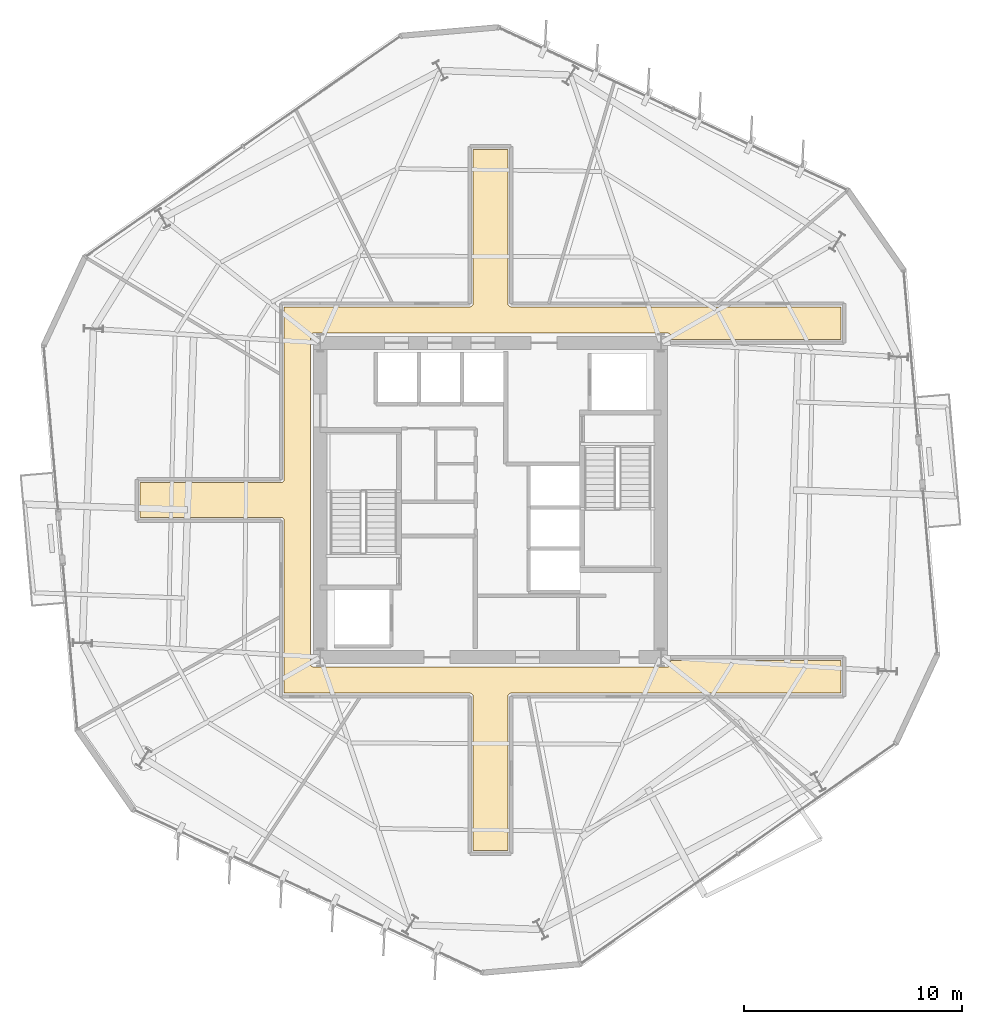
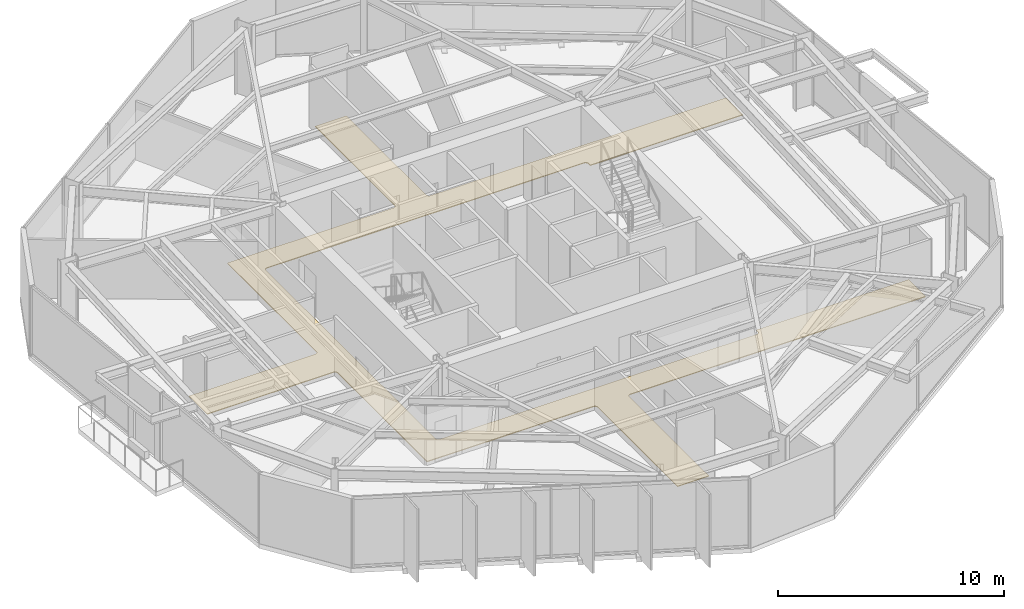
# One storey, part 11 of 13: 1 covering.
"""IFC4 building model written with IfcOpenShell, lengths in metres."""

import ifcopenshell
import ifcopenshell.guid

model = None  # the IFC model being written
_history = None  # IfcOwnerHistory: only IFC2X3 demands one
_inside = {}  # id of a spatial element -> (the spatial element, [elements in it])
_under = {}  # id of a project, library or spatial element -> (it, [spatial elements below it])
_declared = {}  # id of a project -> (the project, [libraries it declares])
_typed = {}  # id of a type object -> (the type object, [elements of that type])
_made_of = {}  # id of a material, layer set ... -> (it, [elements and type objects made of it])


def new_model(schema):
    """Start an empty IFC model of exactly this schema.

    Asked for "IFC4X3", IfcOpenShell would pick the latest addendum, in which some entities
    have other attributes; the version numbers below select the first issue.
    IFC2X3 requires an IfcOwnerHistory on every rooted entity: one is made here for all.
    """
    global model, _history
    if schema == "IFC4X3":
        model = ifcopenshell.file(schema_version=(4, 3, 0, 0))
    else:
        model = ifcopenshell.file(schema=schema)
    _inside.clear()
    _under.clear()
    _declared.clear()
    _typed.clear()
    _made_of.clear()
    _history = None
    if model.schema == "IFC2X3":
        org = make("IfcOrganization", Name="unknown")
        user = make(
            "IfcPersonAndOrganization",
            ThePerson=make("IfcPerson", FamilyName="unknown"),
            TheOrganization=org,
        )
        app = make(
            "IfcApplication",
            ApplicationDeveloper=org,
            Version="unknown",
            ApplicationFullName="unknown",
            ApplicationIdentifier="unknown",
        )
        _history = make(
            "IfcOwnerHistory",
            OwningUser=user,
            OwningApplication=app,
            ChangeAction="ADDED",
            CreationDate=0,
        )
    return model


def make(cls, **values):
    """One entity of the class cls with the attributes given. An attribute that is None is left unset."""
    return model.create_entity(
        cls, **{name: value for name, value in values.items() if value is not None}
    )


def rooted(cls, **values):
    """An entity with a GlobalId (a new one), such as an element, a storey or a relation."""
    return make(cls, GlobalId=ifcopenshell.guid.new(), OwnerHistory=_history, **values)


def si_unit(unit_type, name, prefix=None):
    """IfcSIUnit, for example si_unit("LENGTHUNIT", "METRE", prefix="MILLI")."""
    return make("IfcSIUnit", UnitType=unit_type, Prefix=prefix, Name=name)


def assignment(units):
    """IfcUnitAssignment: the units of a project."""
    return None if units is None else make("IfcUnitAssignment", Units=units)


def point(xyz):
    """IfcCartesianPoint."""
    return None if xyz is None else make("IfcCartesianPoint", Coordinates=xyz)


def direction(xyz):
    """IfcDirection."""
    return None if xyz is None else make("IfcDirection", DirectionRatios=xyz)


def frame(location, z_axis=None, x_axis=None):
    """IfcAxis2Placement3D, a coordinate frame: its origin and axes. An axis left out is left unset."""
    return make(
        "IfcAxis2Placement3D",
        Location=point(location),
        Axis=direction(z_axis),
        RefDirection=direction(x_axis),
    )


def origin():
    """The frame at (0, 0, 0) with its axes left unset."""
    return frame((0.0, 0.0, 0.0))


def place(relative_to, where):
    """IfcLocalPlacement: puts the frame where relative to a parent placement (None: the world)."""
    return make(
        "IfcLocalPlacement", PlacementRelTo=relative_to, RelativePlacement=where
    )


def context(
    kind, dimensions, precision=None, world=None, true_north=None, identifier=None
):
    """IfcGeometricRepresentationContext, for example the 3D "Model" context."""
    return make(
        "IfcGeometricRepresentationContext",
        ContextIdentifier=identifier,
        ContextType=kind,
        CoordinateSpaceDimension=dimensions,
        Precision=precision,
        WorldCoordinateSystem=world,
        TrueNorth=true_north,
    )


def subcontext(parent, identifier, kind, view, scale=None):
    """IfcGeometricRepresentationSubContext, for example "Body" below "Model"."""
    return make(
        "IfcGeometricRepresentationSubContext",
        ContextIdentifier=identifier,
        ContextType=kind,
        ParentContext=parent,
        TargetScale=scale,
        TargetView=view,
    )


def project(units=None, contexts=None):
    """IfcProject with its units and contexts."""
    return rooted(
        "IfcProject",
        Name="project",
        RepresentationContexts=contexts,
        UnitsInContext=assignment(units),
    )


def spatial(cls, under=None, at=None, **own):
    """A site, building, storey or space (cls), placed at a placement, below another one or the project."""
    s = rooted(cls, ObjectPlacement=at, **own)
    if under is not None:
        _under.setdefault(under.id(), (under, []))[1].append(s)
    return s


def polyline(points):
    """IfcPolyline through the points."""
    return make("IfcPolyline", Points=[point(p) for p in points])


def outline(outer, holes=None, kind="AREA"):
    """IfcArbitraryClosedProfileDef: a profile drawn as a closed curve; with holes, ...WithVoids."""
    if holes is None:
        return make("IfcArbitraryClosedProfileDef", ProfileType=kind, OuterCurve=outer)
    return make(
        "IfcArbitraryProfileDefWithVoids",
        ProfileType=kind,
        OuterCurve=outer,
        InnerCurves=holes,
    )


def extrude(swept, where, along, depth):
    """IfcExtrudedAreaSolid: the profile swept, set in the frame where, extruded along a direction by depth."""
    return make(
        "IfcExtrudedAreaSolid",
        SweptArea=swept,
        Position=where,
        ExtrudedDirection=direction(along),
        Depth=depth,
    )


def shape(context_of_items, identifier, shape_type, items):
    """IfcShapeRepresentation: the items that make up one representation, for example the "Body"."""
    return make(
        "IfcShapeRepresentation",
        ContextOfItems=context_of_items,
        RepresentationIdentifier=identifier,
        RepresentationType=shape_type,
        Items=items,
    )


def material(Name=None, Category=None):
    """IfcMaterial."""
    return make("IfcMaterial", Name=Name, Category=Category)


def layer(
    of_material, thickness, ventilated=None, Name=None, Category=None, Priority=None
):
    """IfcMaterialLayer: one layer of a wall or slab, of a material (None: an air gap)."""
    return make(
        "IfcMaterialLayer",
        Material=of_material,
        LayerThickness=thickness,
        IsVentilated=ventilated,
        Name=Name,
        Category=Category,
        Priority=Priority,
    )


def layer_set(layers, Name=None):
    """IfcMaterialLayerSet."""
    return make("IfcMaterialLayerSet", MaterialLayers=layers, LayerSetName=Name)


def made_of(thing, what):
    """Note that an element or type object is made of a material, layer set ...; save() writes the relation."""
    if what is not None:
        _made_of.setdefault(what.id(), (what, []))[1].append(thing)
    return thing


def type_object(cls, material=None, **own):
    """A type object (cls), such as IfcWallType, which elements share."""
    return made_of(rooted(cls, **own), material)


def element(
    cls,
    number,
    at=None,
    inside=None,
    cuts=None,
    type_object=None,
    material=None,
    context=None,
    identifier="Body",
    shape_type=None,
    held_by="IfcProductDefinitionShape",
    body=None,
    shapes=None,
    **own,
):
    """One element of the class cls, such as IfcWall. Its Tag is "e" and its number.

    at: its placement. inside: the storey or other place that contains it. cuts: it is an
    opening in that element (IfcRelVoidsElement). A single representation is given by context,
    identifier, shape_type and body (its items); several are given by shapes. held_by: the class
    of the entity that holds the representations. save() writes the other relations.
    """
    e = rooted(cls, Tag="e%d" % number, ObjectPlacement=at, **own)
    if body is not None:
        shapes = [shape(context, identifier, shape_type, body)]
    if shapes is not None:
        e.Representation = make(held_by, Representations=shapes)
    if inside is not None:
        _inside.setdefault(inside.id(), (inside, []))[1].append(e)
    if cuts is not None:
        rooted(
            "IfcRelVoidsElement", RelatingBuildingElement=cuts, RelatedOpeningElement=e
        )
    if type_object is not None:
        _typed.setdefault(type_object.id(), (type_object, []))[1].append(e)
    return made_of(e, material)


def aggregate(whole, parts):
    """IfcRelAggregates: a whole, such as a stair, and the parts it consists of."""
    return rooted("IfcRelAggregates", RelatingObject=whole, RelatedObjects=parts)


def save(model, path):
    """Write the relations noted so far, then the file.

    IfcRelAggregates (storeys below a building ...), IfcRelContainedInSpatialStructure (elements
    in a storey), IfcRelDefinesByType, IfcRelAssociatesMaterial and IfcRelDeclares: one each for
    every whole, place, type object, material and project.
    """
    for whole, parts in _under.values():
        aggregate(whole, parts)
    for where, things in _inside.values():
        rooted(
            "IfcRelContainedInSpatialStructure",
            RelatedElements=things,
            RelatingStructure=where,
        )
    for kind, things in _typed.values():
        rooted("IfcRelDefinesByType", RelatedObjects=things, RelatingType=kind)
    for what, things in _made_of.values():
        rooted("IfcRelAssociatesMaterial", RelatedObjects=things, RelatingMaterial=what)
    for by, libraries in _declared.values():
        rooted("IfcRelDeclares", RelatingContext=by, RelatedDefinitions=libraries)
    model.write(path)


model = new_model("IFC4")

# Units and contexts
model_context = context("Model", 3, precision=1e-05, world=origin(), true_north=direction((0.0, 1.0)))
body_context = subcontext(model_context, "Body", "Model", "MODEL_VIEW")
ifc_project = project(units=[si_unit("LENGTHUNIT", "METRE"), si_unit("AREAUNIT", "SQUARE_METRE"), si_unit("VOLUMEUNIT", "CUBIC_METRE"), si_unit("PLANEANGLEUNIT", "RADIAN"), si_unit("MASSUNIT", "GRAM", prefix="KILO")], contexts=[model_context])

# Site, building, storey
site_placement = place(None, origin())
site = spatial("IfcSite", under=ifc_project, at=site_placement, CompositionType="ELEMENT")
building_placement = place(site_placement, origin())
building = spatial("IfcBuilding", under=site, at=building_placement, Name="Kranzbogen Civic Tower", CompositionType="ELEMENT")
storey_placement = place(building_placement, frame((0.0, 0.0, 162.39990234375)))
storey = spatial("IfcBuildingStorey", under=building, at=storey_placement, Name="L39", CompositionType="ELEMENT", Elevation=162.39990234375)

# Covering
ifc_material = material(Name="Honed Natural Stone Flooring", Category="masonry")
ifc_layer = layer(ifc_material, 0.0400390625, Name="Honed Natural Stone Flooring")
ifc_layer_set = layer_set([ifc_layer], Name="Honed Natural Stone Flooring")
covering_type = type_object("IfcCoveringType", Name="Honed Limestone Lobby Flooring 40 mm", PredefinedType="FLOORING", material=ifc_layer_set)
covering_placement = place(storey_placement, origin())
element("IfcCovering", 1, at=covering_placement, inside=storey, type_object=covering_type, Name="L39 concourse stone flooring 1", PredefinedType="FLOORING", context=body_context, shape_type="SweptSolid", body=[
    extrude(outline(polyline([(15.550048828125, 16.14990234375), (15.550048828125, 24.050048828125), (15.549072265625, 24.06494140625), (15.547119140625, 24.0791015625), (15.5439453125, 24.093994140625), (15.5390625, 24.10693359375), (15.531982421875, 24.12109375), (15.52490234375, 24.133056640625), (15.51611328125, 24.14501953125), (15.506103515625, 24.156005859375), (15.4951171875, 24.166015625), (15.48291015625, 24.175048828125), (15.470947265625, 24.181884765625), (15.45703125, 24.18896484375), (15.444091796875, 24.194091796875), (15.428955078125, 24.197021484375), (15.4150390625, 24.198974609375), (15.39990234375, 24.199951171875), (8.949951171875, 24.199951171875), (8.949951171875, 25.800048828125), (15.39990234375, 25.800048828125), (15.4150390625, 25.801025390625), (15.428955078125, 25.802978515625), (15.444091796875, 25.805908203125), (15.45703125, 25.81103515625), (15.470947265625, 25.818115234375), (15.48291015625, 25.824951171875), (15.4951171875, 25.833984375), (15.506103515625, 25.843994140625), (15.51611328125, 25.85498046875), (15.52490234375, 25.866943359375), (15.531982421875, 25.87890625), (15.5390625, 25.89306640625), (15.5439453125, 25.906005859375), (15.547119140625, 25.9208984375), (15.549072265625, 25.93505859375), (15.550048828125, 25.949951171875), (15.550048828125, 33.85009765625), (24.050048828125, 33.85009765625), (24.06494140625, 33.85107421875), (24.0791015625, 33.85302734375), (24.093994140625, 33.85595703125), (24.10693359375, 33.861083984375), (24.12109375, 33.867919921875), (24.133056640625, 33.875), (24.14501953125, 33.884033203125), (24.156005859375, 33.89404296875), (24.166015625, 33.905029296875), (24.175048828125, 33.9169921875), (24.181884765625, 33.928955078125), (24.18896484375, 33.943115234375), (24.194091796875, 33.9560546875), (24.197021484375, 33.970947265625), (24.198974609375, 33.985107421875), (24.199951171875, 34.0), (24.199951171875, 41.050048828125), (25.800048828125, 41.050048828125), (25.800048828125, 34.0), (25.801025390625, 33.985107421875), (25.802978515625, 33.970947265625), (25.805908203125, 33.9560546875), (25.81103515625, 33.943115234375), (25.818115234375, 33.928955078125), (25.824951171875, 33.9169921875), (25.833984375, 33.905029296875), (25.843994140625, 33.89404296875), (25.85498046875, 33.884033203125), (25.866943359375, 33.875), (25.87890625, 33.867919921875), (25.89306640625, 33.861083984375), (25.906005859375, 33.85595703125), (25.9208984375, 33.85302734375), (25.93505859375, 33.85107421875), (25.949951171875, 33.85009765625), (41.050048828125, 33.85009765625), (41.050048828125, 32.35009765625), (33.25, 32.35009765625), (33.25, 32.5), (33.2490234375, 32.514892578125), (33.2470703125, 32.529052734375), (33.243896484375, 32.5439453125), (33.239013671875, 32.556884765625), (33.23193359375, 32.571044921875), (33.22509765625, 32.5830078125), (33.216064453125, 32.594970703125), (33.2060546875, 32.60595703125), (33.195068359375, 32.615966796875), (33.18310546875, 32.625), (33.1708984375, 32.632080078125), (33.156982421875, 32.638916015625), (33.14404296875, 32.64404296875), (33.12890625, 32.64697265625), (33.114990234375, 32.64892578125), (33.10009765625, 32.64990234375), (16.89990234375, 32.64990234375), (16.885009765625, 32.64892578125), (16.87109375, 32.64697265625), (16.85595703125, 32.64404296875), (16.843017578125, 32.638916015625), (16.8291015625, 32.632080078125), (16.81689453125, 32.625), (16.804931640625, 32.615966796875), (16.7939453125, 32.60595703125), (16.783935546875, 32.594970703125), (16.77490234375, 32.5830078125), (16.76806640625, 32.571044921875), (16.760986328125, 32.556884765625), (16.756103515625, 32.5439453125), (16.7529296875, 32.529052734375), (16.7509765625, 32.514892578125), (16.75, 32.5), (16.75, 17.5), (16.7509765625, 17.485107421875), (16.7529296875, 17.470947265625), (16.756103515625, 17.4560546875), (16.760986328125, 17.443115234375), (16.76806640625, 17.428955078125), (16.77490234375, 17.4169921875), (16.783935546875, 17.405029296875), (16.7939453125, 17.39404296875), (16.804931640625, 17.384033203125), (16.81689453125, 17.375), (16.8291015625, 17.367919921875), (16.843017578125, 17.361083984375), (16.85595703125, 17.35595703125), (16.87109375, 17.35302734375), (16.885009765625, 17.35107421875), (16.89990234375, 17.35009765625), (33.10009765625, 17.35009765625), (33.114990234375, 17.35107421875), (33.12890625, 17.35302734375), (33.14404296875, 17.35595703125), (33.156982421875, 17.361083984375), (33.1708984375, 17.367919921875), (33.18310546875, 17.375), (33.195068359375, 17.384033203125), (33.2060546875, 17.39404296875), (33.216064453125, 17.405029296875), (33.22509765625, 17.4169921875), (33.23193359375, 17.428955078125), (33.239013671875, 17.443115234375), (33.243896484375, 17.4560546875), (33.2470703125, 17.470947265625), (33.2490234375, 17.485107421875), (33.25, 17.5), (33.25, 17.64990234375), (41.050048828125, 17.64990234375), (41.050048828125, 16.14990234375), (25.949951171875, 16.14990234375), (25.93505859375, 16.14892578125), (25.9208984375, 16.14697265625), (25.906005859375, 16.14404296875), (25.89306640625, 16.138916015625), (25.87890625, 16.132080078125), (25.866943359375, 16.125), (25.85498046875, 16.115966796875), (25.843994140625, 16.10595703125), (25.833984375, 16.094970703125), (25.824951171875, 16.0830078125), (25.818115234375, 16.071044921875), (25.81103515625, 16.056884765625), (25.805908203125, 16.0439453125), (25.802978515625, 16.029052734375), (25.801025390625, 16.014892578125), (25.800048828125, 16.0), (25.800048828125, 8.949951171875), (24.199951171875, 8.949951171875), (24.199951171875, 16.0), (24.198974609375, 16.014892578125), (24.197021484375, 16.029052734375), (24.194091796875, 16.0439453125), (24.18896484375, 16.056884765625), (24.181884765625, 16.071044921875), (24.175048828125, 16.0830078125), (24.166015625, 16.094970703125), (24.156005859375, 16.10595703125), (24.14501953125, 16.115966796875), (24.133056640625, 16.125), (24.12109375, 16.132080078125), (24.10693359375, 16.138916015625), (24.093994140625, 16.14404296875), (24.0791015625, 16.14697265625), (24.06494140625, 16.14892578125), (24.050048828125, 16.14990234375), (15.550048828125, 16.14990234375)])), origin(), (0.0, 0.0, 1.0), 0.0400390625),
])

save(model, "model.ifc")
